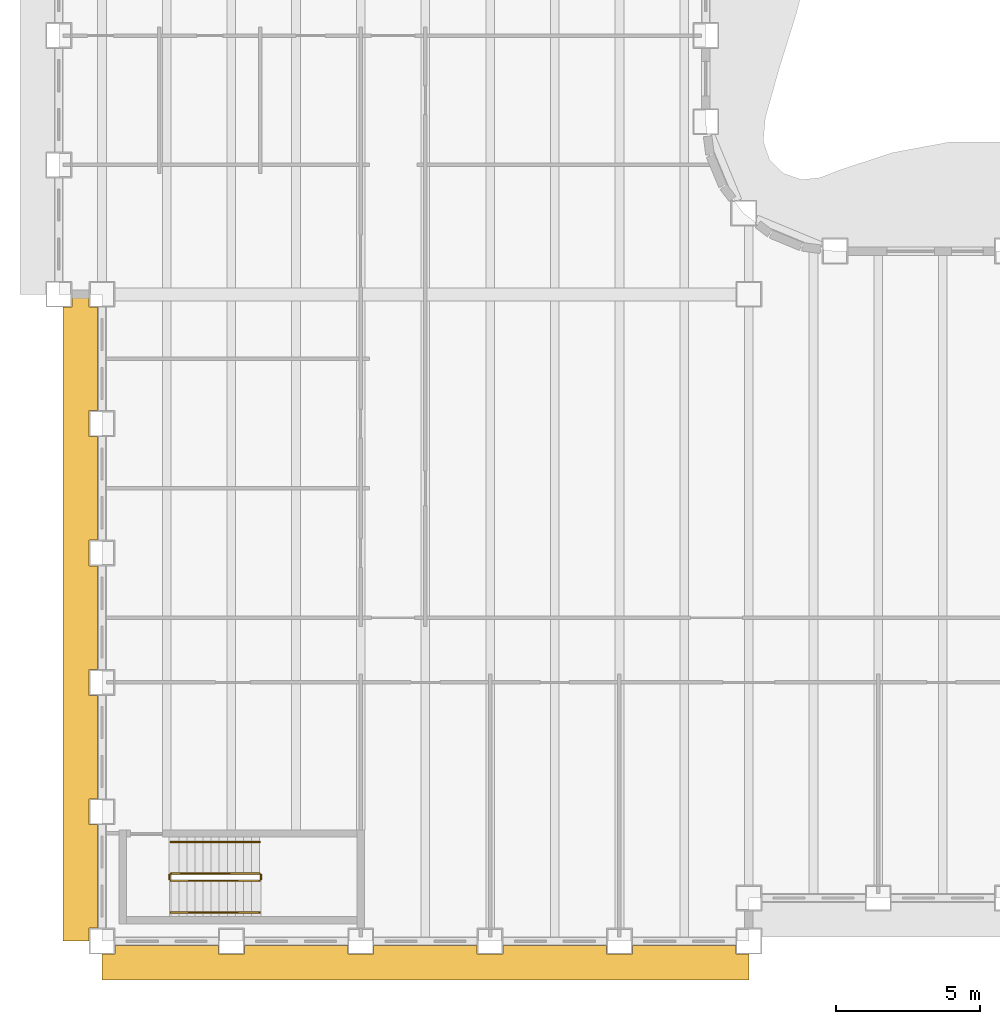
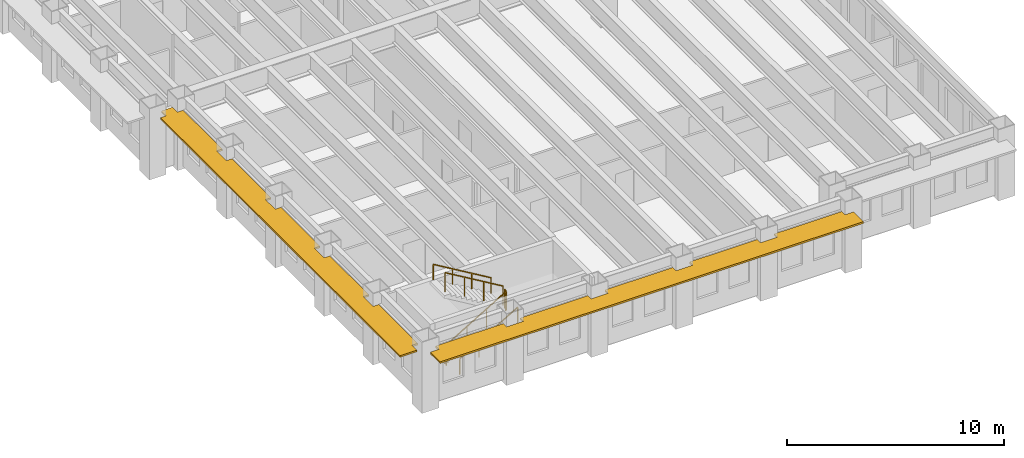
# One storey, part 10 of 13: 6 railings, 2 shading devices.
"""IFC4 building model written with IfcOpenShell, lengths in metres."""

from ifc_helpers import new_model, si_unit, direction, frame, origin, origin_2d, place, context, subcontext, project, spatial, polyline, rectangle, outline, extrude, material, layer, layer_set, type_object, element, save


model = new_model("IFC4")

# Units and contexts
model_context = context("Model", 3, precision=1e-05, world=origin(), true_north=direction((0.0, 1.0)))
body_context = subcontext(model_context, "Body", "Model", "MODEL_VIEW")
ifc_project = project(units=[si_unit("LENGTHUNIT", "METRE"), si_unit("AREAUNIT", "SQUARE_METRE"), si_unit("VOLUMEUNIT", "CUBIC_METRE"), si_unit("PLANEANGLEUNIT", "RADIAN"), si_unit("MASSUNIT", "GRAM", prefix="KILO")], contexts=[model_context])

# Site, building, storey
site_placement = place(None, origin())
site = spatial("IfcSite", under=ifc_project, at=site_placement, CompositionType="ELEMENT")
building_placement = place(site_placement, origin())
building = spatial("IfcBuilding", under=site, at=building_placement, Name="Sennacour Bend Tower", CompositionType="ELEMENT")
storey_placement = place(building_placement, frame((0.0, 0.0, 139.0)))
storey = spatial("IfcBuildingStorey", under=building, at=storey_placement, Name="L31", CompositionType="ELEMENT", Elevation=139.0)

# Railings
ifc_material_1 = material(Name="Stainless steel", Category="steel")
railing_type_1 = type_object("IfcRailingType", Name="RL-GUARD-1100", PredefinedType="GUARDRAIL", material=ifc_material_1)
railing_1_placement = place(storey_placement, frame((2.39990234375, 2.10009765625, 0.166748046875)))
element("IfcRailing", 1, at=railing_1_placement, inside=storey, type_object=railing_type_1, Name="L31 SK1 stair guard 1", PredefinedType="GUARDRAIL", context=body_context, shape_type="SweptSolid", body=[
    extrude(rectangle(XDim=0.048095703125, YDim=0.048095703125, at=origin_2d()), frame((0.0, 0.0, 1.076171875), z_axis=(0.859308565015, 0.0, 0.511457515432), x_axis=(0.0, 1.0, 0.0)), (0.0, 0.0, 1.0), 3.58447265625),
    extrude(rectangle(XDim=0.0419921875, YDim=0.0419921875, at=origin_2d()), origin(), (0.0, 0.0, 1.0), 1.052001953125),
    extrude(rectangle(XDim=0.0419921875, YDim=0.0419921875, at=origin_2d()), frame((1.026611328125, 0.0, 0.611083984375)), (0.0, 0.0, 1.0), 1.052001953125),
    extrude(rectangle(XDim=0.0419921875, YDim=0.0419921875, at=origin_2d()), frame((2.053466796875, 0.0, 1.22216796875)), (0.0, 0.0, 1.0), 1.052001953125),
    extrude(rectangle(XDim=0.0419921875, YDim=0.0419921875, at=origin_2d()), frame((3.080078125, 0.0, 1.833251953125)), (0.0, 0.0, 1.0), 1.052001953125),
])
railing_2_placement = place(storey_placement, frame((5.530029296875, 2.14990234375, 2.0)))
element("IfcRailing", 2, at=railing_2_placement, inside=storey, type_object=railing_type_1, Name="L31 SK1 stair guard 2", PredefinedType="GUARDRAIL", context=body_context, shape_type="SweptSolid", body=[
    extrude(rectangle(XDim=0.048095703125, YDim=0.048095703125, at=origin_2d()), frame((0.0, 0.0, 1.076171875), z_axis=(0.0, 1.0, 0.0), x_axis=(-1.0, 0.0, 0.0)), (0.0, 0.0, 1.0), 0.150146484375),
    extrude(rectangle(XDim=0.0419921875, YDim=0.0419921875, at=origin_2d()), origin(), (0.0, 0.0, 1.0), 1.052001953125),
    extrude(rectangle(XDim=0.0419921875, YDim=0.0419921875, at=origin_2d()), frame((0.0, 0.150146484375, 0.0)), (0.0, 0.0, 1.0), 1.052001953125),
])
railing_3_placement = place(storey_placement, frame((5.47998046875, 2.35009765625, 2.166748046875)))
element("IfcRailing", 3, at=railing_3_placement, inside=storey, type_object=railing_type_1, Name="L31 SK1 stair guard 3", PredefinedType="GUARDRAIL", context=body_context, shape_type="SweptSolid", body=[
    extrude(rectangle(XDim=0.048095703125, YDim=0.048095703125, at=origin_2d()), frame((0.0, 0.0, 1.076171875), z_axis=(-0.859308565015, 0.0, 0.511457515432), x_axis=(0.0, -1.0, 0.0)), (0.0, 0.0, 1.0), 3.58447265625),
    extrude(rectangle(XDim=0.0419921875, YDim=0.0419921875, at=origin_2d()), origin(), (0.0, 0.0, 1.0), 1.052001953125),
    extrude(rectangle(XDim=0.0419921875, YDim=0.0419921875, at=origin_2d()), frame((-1.026611328125, 0.0, 0.611083984375)), (0.0, 0.0, 1.0), 1.052001953125),
    extrude(rectangle(XDim=0.0419921875, YDim=0.0419921875, at=origin_2d()), frame((-2.053466796875, 0.0, 1.22216796875)), (0.0, 0.0, 1.0), 1.052001953125),
    extrude(rectangle(XDim=0.0419921875, YDim=0.0419921875, at=origin_2d()), frame((-3.080078125, 0.0, 1.833251953125)), (0.0, 0.0, 1.0), 1.052001953125),
])
railing_4_placement = place(storey_placement, frame((2.35009765625, 2.14990234375, 0.0)))
element("IfcRailing", 4, at=railing_4_placement, inside=storey, type_object=railing_type_1, Name="L31 SK1 stair guard 4", PredefinedType="GUARDRAIL", context=body_context, shape_type="SweptSolid", body=[
    extrude(rectangle(XDim=0.048095703125, YDim=0.048095703125, at=origin_2d()), frame((0.0, 0.0, 1.076171875), z_axis=(0.0, 1.0, 0.0), x_axis=(-1.0, 0.0, 0.0)), (0.0, 0.0, 1.0), 0.150146484375),
    extrude(rectangle(XDim=0.0419921875, YDim=0.0419921875, at=origin_2d()), origin(), (0.0, 0.0, 1.0), 1.052001953125),
    extrude(rectangle(XDim=0.0419921875, YDim=0.0419921875, at=origin_2d()), frame((0.0, 0.150146484375, 0.0)), (0.0, 0.0, 1.0), 1.052001953125),
])
railing_type_2 = type_object("IfcRailingType", Name="RL-HANDRAIL-900", PredefinedType="HANDRAIL", material=ifc_material_1)
railing_5_placement = place(storey_placement, frame((2.39990234375, 1.0, 0.166748046875)))
element("IfcRailing", 5, at=railing_5_placement, inside=storey, type_object=railing_type_2, Name="L31 SK1 stair handrail 1", PredefinedType="HANDRAIL", context=body_context, shape_type="SweptSolid", body=[
    extrude(rectangle(XDim=0.048095703125, YDim=0.048095703125, at=origin_2d()), frame((0.0, 0.0, 0.8759765625), z_axis=(0.859308565015, 0.0, 0.511457515432), x_axis=(0.0, 1.0, 0.0)), (0.0, 0.0, 1.0), 3.58447265625),
    extrude(rectangle(XDim=0.0419921875, YDim=0.0419921875, at=origin_2d()), origin(), (0.0, 0.0, 1.0), 0.851806640625),
    extrude(rectangle(XDim=0.0419921875, YDim=0.0419921875, at=origin_2d()), frame((1.026611328125, 0.0, 0.611083984375)), (0.0, 0.0, 1.0), 0.851806640625),
    extrude(rectangle(XDim=0.0419921875, YDim=0.0419921875, at=origin_2d()), frame((2.053466796875, 0.0, 1.22216796875)), (0.0, 0.0, 1.0), 0.851806640625),
    extrude(rectangle(XDim=0.0419921875, YDim=0.0419921875, at=origin_2d()), frame((3.080078125, 0.0, 1.833251953125)), (0.0, 0.0, 1.0), 0.851806640625),
])
railing_6_placement = place(storey_placement, frame((5.47998046875, 3.449951171875, 2.166748046875)))
element("IfcRailing", 6, at=railing_6_placement, inside=storey, type_object=railing_type_2, Name="L31 SK1 stair handrail 2", PredefinedType="HANDRAIL", context=body_context, shape_type="SweptSolid", body=[
    extrude(rectangle(XDim=0.048095703125, YDim=0.048095703125, at=origin_2d()), frame((0.0, 0.0, 0.8759765625), z_axis=(-0.859308565015, 0.0, 0.511457515432), x_axis=(0.0, -1.0, 0.0)), (0.0, 0.0, 1.0), 3.58447265625),
    extrude(rectangle(XDim=0.0419921875, YDim=0.0419921875, at=origin_2d()), origin(), (0.0, 0.0, 1.0), 0.851806640625),
    extrude(rectangle(XDim=0.0419921875, YDim=0.0419921875, at=origin_2d()), frame((-1.026611328125, 0.0, 0.611083984375)), (0.0, 0.0, 1.0), 0.851806640625),
    extrude(rectangle(XDim=0.0419921875, YDim=0.0419921875, at=origin_2d()), frame((-2.053466796875, 0.0, 1.22216796875)), (0.0, 0.0, 1.0), 0.851806640625),
    extrude(rectangle(XDim=0.0419921875, YDim=0.0419921875, at=origin_2d()), frame((-3.080078125, 0.0, 1.833251953125)), (0.0, 0.0, 1.0), 0.851806640625),
])

# Shading devices
ifc_material_2 = material(Name="Bronze anodised aluminium", Category="aluminium")
ifc_layer = layer(ifc_material_2, 0.10009765625, Name="Bronze anodised aluminium", Category="aluminium")
ifc_layer_set = layer_set([ifc_layer], Name="Bronze anodised aluminium")
shading_device_type = type_object("IfcShadingDeviceType", Name="SUNSHADE BAND STRAIGHT", PredefinedType="USERDEFINED", material=ifc_layer_set)
shading_device_1_placement = place(storey_placement, frame((0.0, 0.0, 3.049072265625)))
element("IfcShadingDevice", 7, at=shading_device_1_placement, inside=storey, type_object=shading_device_type, Name="Sunshade band L31 K outer face", ObjectType="SUNSHADE", PredefinedType="USERDEFINED", context=body_context, shape_type="SweptSolid", body=[
    extrude(outline(polyline([(-0.14990234375, 18.449951171875), (-0.449951171875, 18.449951171875), (-0.449951171875, 17.550048828125), (-0.14990234375, 17.550048828125), (-0.14990234375, 13.949951171875), (-0.449951171875, 13.949951171875), (-0.449951171875, 13.050048828125), (-0.14990234375, 13.050048828125), (-0.14990234375, 9.449951171875), (-0.449951171875, 9.449951171875), (-0.449951171875, 8.550048828125), (-0.14990234375, 8.550048828125), (-0.14990234375, 4.949951171875), (-0.449951171875, 4.949951171875), (-0.449951171875, 4.050048828125), (-0.14990234375, 4.050048828125), (-0.14990234375, 0.449951171875), (-0.449951171875, 0.449951171875), (-0.449951171875, 0.0), (-1.35009765625, 0.0), (-1.35009765625, 22.050048828125), (-1.050048828125, 22.050048828125), (-1.050048828125, 22.5), (-0.449951171875, 22.5), (-0.449951171875, 22.050048828125), (-0.14990234375, 22.050048828125), (-0.14990234375, 18.449951171875)])), origin(), (0.0, 0.0, 1.0), 0.099853515625),
])
shading_device_2_placement = place(storey_placement, frame((0.0, 0.0, 3.049072265625)))
element("IfcShadingDevice", 8, at=shading_device_2_placement, inside=storey, type_object=shading_device_type, Name="Sunshade band L31 K outer face", ObjectType="SUNSHADE", PredefinedType="USERDEFINED", context=body_context, shape_type="SweptSolid", body=[
    extrude(outline(polyline([(4.050048828125, -0.14990234375), (4.050048828125, -0.449951171875), (4.949951171875, -0.449951171875), (4.949951171875, -0.14990234375), (8.550048828125, -0.14990234375), (8.550048828125, -0.449951171875), (9.449951171875, -0.449951171875), (9.449951171875, -0.14990234375), (13.050048828125, -0.14990234375), (13.050048828125, -0.449951171875), (13.949951171875, -0.449951171875), (13.949951171875, -0.14990234375), (17.550048828125, -0.14990234375), (17.550048828125, -0.449951171875), (18.449951171875, -0.449951171875), (18.449951171875, -0.14990234375), (22.050048828125, -0.14990234375), (22.050048828125, -0.449951171875), (22.5, -0.449951171875), (22.5, -1.35009765625), (0.0, -1.35009765625), (0.0, -0.449951171875), (0.449951171875, -0.449951171875), (0.449951171875, -0.14990234375), (4.050048828125, -0.14990234375)])), origin(), (0.0, 0.0, 1.0), 0.099853515625),
])

save(model, "model.ifc")
